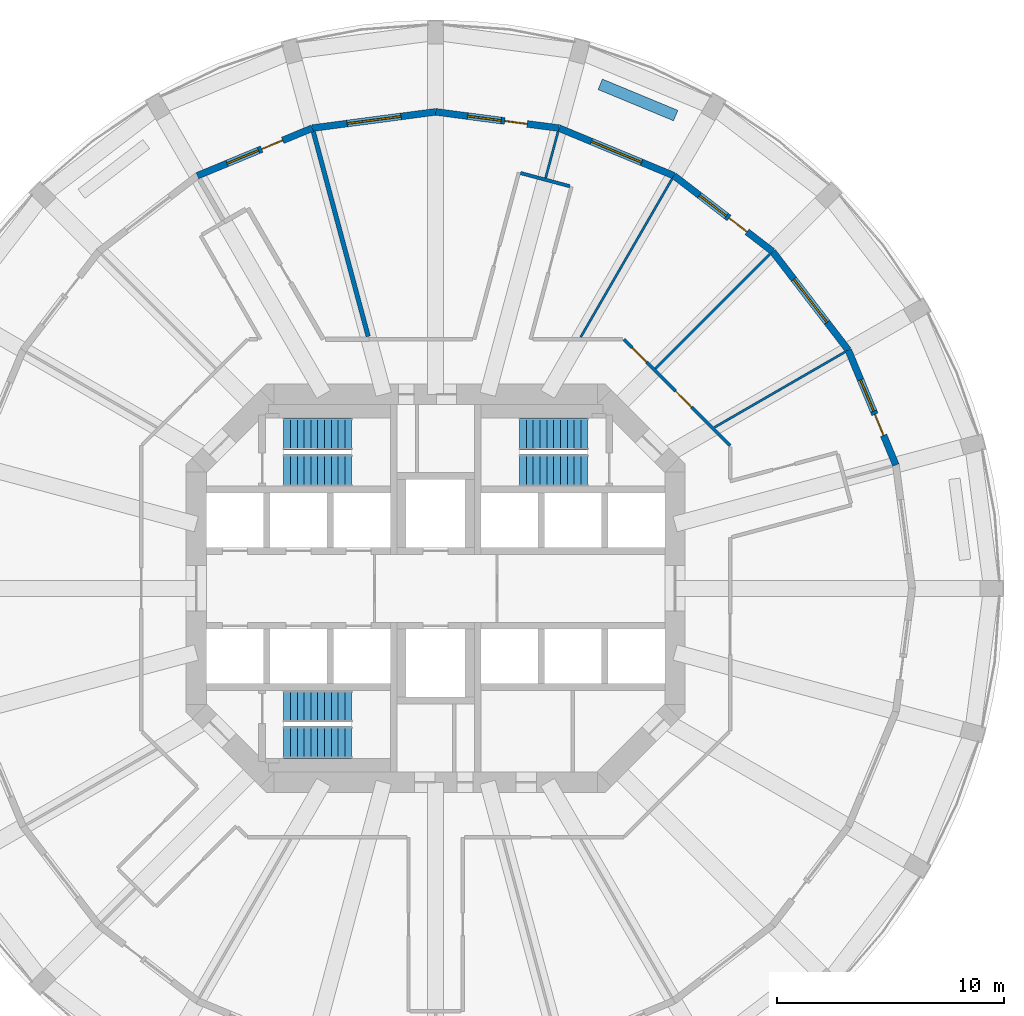
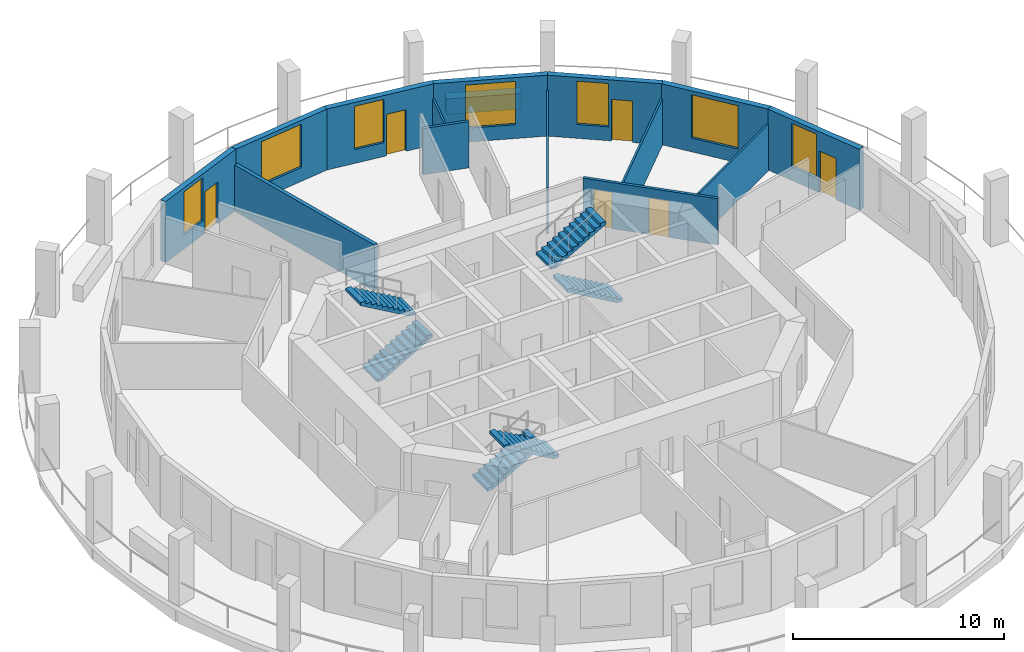
# One storey, part 6 of 8: 15 walls, 7 windows, 6 doors, 6 stair flights, 13 openings, 3 elements without a shape of their own.
"""IFC4 building model written with IfcOpenShell, lengths in metres."""

from ifc_helpers import new_model, si_unit, direction, frame, frame_2d, origin, place, context, subcontext, project, spatial, polyline, rectangle, outline, extrude, material, layer, layer_set, type_object, element, fill, aggregate, save


model = new_model("IFC4")

# Units and contexts
model_context = context("Model", 3, precision=1e-05, world=origin(), true_north=direction((0.0, 1.0)))
body_context = subcontext(model_context, "Body", "Model", "MODEL_VIEW")
ifc_project = project(units=[si_unit("LENGTHUNIT", "METRE"), si_unit("AREAUNIT", "SQUARE_METRE"), si_unit("VOLUMEUNIT", "CUBIC_METRE"), si_unit("PLANEANGLEUNIT", "RADIAN"), si_unit("MASSUNIT", "GRAM", prefix="KILO")], contexts=[model_context])

# Site, building, storey
site_placement = place(None, origin())
site = spatial("IfcSite", under=ifc_project, at=site_placement, CompositionType="ELEMENT")
building_placement = place(site_placement, origin())
building = spatial("IfcBuilding", under=site, at=building_placement, Name="Torre Triforio", CompositionType="ELEMENT")
storey_placement = place(building_placement, frame((0.0, 0.0, 131.39990234375)))
storey = spatial("IfcBuildingStorey", under=building, at=storey_placement, Name="L29", CompositionType="ELEMENT", Elevation=131.39990234375)

# Wall
ifc_material_1 = material(Name="Plasterboard on metal studs")
ifc_layer_1 = layer(ifc_material_1, 0.14990234375)
ifc_layer_set_1 = layer_set([ifc_layer_1], Name="Plasterboard on metal studs")
wall_type_1 = type_object("IfcWallType", Name="Corridor and tenancy wall 150 mm EI 60", PredefinedType="PARTITIONING", material=ifc_layer_set_1)
wall_1_placement = place(storey_placement, frame((3.739990234375, 18.304443359375, 0.0), z_axis=(0.0, 0.0, 1.0), x_axis=(0.965933522054, -0.25879032241, 0.0)))
element("IfcWall", 1, at=wall_1_placement, inside=storey, type_object=wall_type_1, Name="Partition 14", PredefinedType="PARTITIONING", context=body_context, shape_type="SweptSolid", body=[
    extrude(rectangle(XDim=2.25, YDim=0.14990234375, at=frame_2d((1.125, 0.0))), origin(), (0.0, 0.0, 1.0), 2.670166015625),
])

# Wall, openings, doors
wall_2_placement = place(storey_placement, frame((8.291015625, 10.97509765625, 0.0), z_axis=(0.0, 0.0, 1.0), x_axis=(0.707106781187, -0.707106781187, 0.0)))
wall_2 = element("IfcWall", 2, at=wall_2_placement, inside=storey, type_object=wall_type_1, Name="Partition 17", PredefinedType="PARTITIONING", context=body_context, shape_type="SweptSolid", body=[
    extrude(rectangle(XDim=6.624267578125, YDim=0.14990234375, at=frame_2d((3.31201171875, 0.0))), origin(), (0.0, 0.0, 1.0), 2.670166015625),
])
opening_1_placement = place(wall_2_placement, frame((3.22412109375, 0.0, 0.0)))
opening_1 = element("IfcOpeningElement", 3, at=opening_1_placement, cuts=wall_2, Name="Opening D2-09", PredefinedType="OPENING", context=body_context, shape_type="SweptSolid", body=[
    extrude(rectangle(XDim=1.0, YDim=2.10009765625, at=frame_2d((0.5, 1.050048828125))), frame((0.0, 0.0849609375, 0.0), z_axis=(0.0, -1.0, 0.0), x_axis=(1.0, 0.0, 0.0)), (0.0, 0.0, 1.0), 0.169921875),
])
opening_2_placement = place(wall_2_placement, frame((0.52392578125, 0.0, 0.0)))
opening_2 = element("IfcOpeningElement", 4, at=opening_2_placement, cuts=wall_2, Name="Opening D2-10", PredefinedType="OPENING", context=body_context, shape_type="SweptSolid", body=[
    extrude(rectangle(XDim=0.89990234375, YDim=2.10009765625, at=frame_2d((0.449951171875, 1.050048828125))), frame((0.0, 0.0849609375, 0.0), z_axis=(0.0, -1.0, 0.0), x_axis=(1.0, 0.0, 0.0)), (0.0, 0.0, 1.0), 0.169921875),
])
ifc_material_2 = material(Name="Timber", Category="wood")
door_type_1 = type_object("IfcDoorType", Name="Door 1000 x 2100 single leaf EI 30", OperationType="NOTDEFINED", PredefinedType="DOOR", material=ifc_material_2)
door_1_placement = place(opening_1_placement, origin())
door_1 = element("IfcDoor", 5, at=door_1_placement, inside=storey, type_object=door_type_1, Name="Door D2-09", OperationType="SINGLE_SWING_LEFT", OverallHeight=2.10009765625, OverallWidth=1.0, PredefinedType="DOOR", context=body_context, shape_type="SweptSolid", body=[
    extrude(rectangle(XDim=1.0, YDim=2.10009765625, at=frame_2d((0.5, 1.050048828125))), frame((0.0, 0.02490234375, 0.0), z_axis=(0.0, -1.0, 0.0), x_axis=(1.0, 0.0, 0.0)), (0.0, 0.0, 1.0), 0.050048828125),
])
fill(opening_1, door_1)
door_type_2 = type_object("IfcDoorType", Name="Door 900 x 2100 single leaf EI 30", OperationType="NOTDEFINED", PredefinedType="DOOR", material=ifc_material_2)
door_2_placement = place(opening_2_placement, origin())
door_2 = element("IfcDoor", 6, at=door_2_placement, inside=storey, type_object=door_type_2, Name="Door D2-10", OperationType="SINGLE_SWING_LEFT", OverallHeight=2.10009765625, OverallWidth=0.89990234375, PredefinedType="DOOR", context=body_context, shape_type="SweptSolid", body=[
    extrude(rectangle(XDim=0.89990234375, YDim=2.10009765625, at=frame_2d((0.449951171875, 1.050048828125))), frame((0.0, 0.02490234375, 0.0), z_axis=(0.0, -1.0, 0.0), x_axis=(1.0, 0.0, 0.0)), (0.0, 0.0, 1.0), 0.050048828125),
])
fill(opening_2, door_2)

# Walls
ifc_layer_2 = layer(ifc_material_1, 0.10009765625)
ifc_layer_set_2 = layer_set([ifc_layer_2], Name="Plasterboard on metal studs")
wall_type_2 = type_object("IfcWallType", Name="Partition 100 mm board on metal studs", PredefinedType="PARTITIONING", material=ifc_layer_set_2)
wall_3_placement = place(storey_placement, frame((12.294189453125, 7.097900390625, 0.0), z_axis=(0.0, 0.0, 1.0), x_axis=(0.866010486135, 0.500025837236, 0.0)))
element("IfcWall", 7, at=wall_3_placement, inside=storey, type_object=wall_type_2, Name="Partition 32", PredefinedType="PARTITIONING", context=body_context, shape_type="SweptSolid", body=[
    extrude(rectangle(XDim=6.640869140625, YDim=0.10009765625, at=frame_2d((3.3203125, 0.0))), origin(), (0.0, 0.0, 1.0), 2.670166015625),
])
wall_4_placement = place(storey_placement, frame((9.68603515625, 9.68603515625, 0.0), z_axis=(0.0, 0.0, 1.0), x_axis=(0.707106781187, 0.707106781187, 0.0)))
element("IfcWall", 8, at=wall_4_placement, inside=storey, type_object=wall_type_2, Name="Partition 33", PredefinedType="PARTITIONING", context=body_context, shape_type="SweptSolid", body=[
    extrude(rectangle(XDim=7.138671875, YDim=0.10009765625, at=frame_2d((3.5693359375, 0.0))), origin(), (0.0, 0.0, 1.0), 2.670166015625),
])
wall_5_placement = place(storey_placement, frame((6.393798828125, 11.07470703125, 0.0), z_axis=(0.0, 0.0, 1.0), x_axis=(0.500024397361, 0.866011317503, 0.0)))
element("IfcWall", 9, at=wall_5_placement, inside=storey, type_object=wall_type_2, Name="Partition 34", PredefinedType="PARTITIONING", context=body_context, shape_type="SweptSolid", body=[
    extrude(rectangle(XDim=8.048828125, YDim=0.10009765625, at=frame_2d((4.0244140625, 0.0))), origin(), (0.0, 0.0, 1.0), 2.670166015625),
])
wall_6_placement = place(storey_placement, frame((4.84619140625, 18.085693359375, 0.0), z_axis=(0.0, 0.0, 1.0), x_axis=(0.258705282257, 0.965956301772, 0.0)))
element("IfcWall", 10, at=wall_6_placement, inside=storey, type_object=wall_type_2, Name="Partition 35", PredefinedType="PARTITIONING", context=body_context, shape_type="SweptSolid", body=[
    extrude(rectangle(XDim=2.113037109375, YDim=0.10009765625, at=frame_2d((1.056640625, 0.0))), origin(), (0.0, 0.0, 1.0), 2.670166015625),
])
ifc_material_3 = material(Name="Masonry block", Category="masonry")
ifc_layer_3 = layer(ifc_material_3, 0.199951171875)
ifc_layer_set_3 = layer_set([ifc_layer_3], Name="Masonry block")
wall_type_3 = type_object("IfcWallType", Name="Plant room wall 200 mm block EI 120", PredefinedType="PARTITIONING", material=ifc_layer_set_3)
wall_7_placement = place(storey_placement, frame((-2.974365234375, 11.1005859375, 0.0), z_axis=(0.0, 0.0, 1.0), x_axis=(-0.258810523233, 0.965928109677, 0.0)))
element("IfcWall", 11, at=wall_7_placement, inside=storey, type_object=wall_type_3, Name="Partition 36", PredefinedType="PARTITIONING", context=body_context, shape_type="SweptSolid", body=[
    extrude(rectangle(XDim=9.344482421875, YDim=0.199951171875, at=frame_2d((4.67236328125, 0.0))), origin(), (0.0, 0.0, 1.0), 2.670166015625),
])
ifc_material_4 = material(Name="Limestone cladding", Category="masonry")
ifc_layer_4 = layer(ifc_material_4, 0.10009765625)
ifc_material_5 = material(Name="Concrete C40", Category="concrete")
ifc_layer_5 = layer(ifc_material_5, 0.39990234375)
ifc_layer_set_4 = layer_set([ifc_layer_4, ifc_layer_5], Name="Limestone cladding / Concrete C40")
wall_type_4 = type_object("IfcWallType", Name="Planter wall 500", PredefinedType="PARAPET", material=ifc_layer_set_4)
wall_8_placement = place(storey_placement, frame((10.57958984375, 20.837646484375, 0.0), z_axis=(0.0, 0.0, 1.0), x_axis=(-0.923909393783, 0.382611332921, 0.0)))
element("IfcWall", 12, at=wall_8_placement, inside=storey, type_object=wall_type_4, Name="Planter L29 bay 05", PredefinedType="PARAPET", context=body_context, shape_type="SweptSolid", body=[
    extrude(rectangle(XDim=3.60009765625, YDim=0.5, at=frame_2d((1.800048828125, 0.0))), origin(), (0.0, 0.0, 1.0), 0.900146484375),
])

# Wall, openings, door, window
ifc_layer_6 = layer(ifc_material_4, 0.10009765625)
ifc_layer_7 = layer(ifc_material_5, 0.199951171875)
ifc_layer_set_5 = layer_set([ifc_layer_6, ifc_layer_7], Name="Limestone cladding / Concrete C40")
wall_type_5 = type_object("IfcWallType", Name="Stone-faced composite wall 300", PredefinedType="STANDARD", material=ifc_layer_set_5)
wall_9_placement = place(storey_placement, frame((20.284423828125, 5.435302734375, 0.0), z_axis=(0.0, 0.0, 1.0), x_axis=(-0.382688740813, 0.923877333662, 0.0)))
wall_9 = element("IfcWall", 13, at=wall_9_placement, inside=storey, type_object=wall_type_5, Name="External wall L29 bay 02", PredefinedType="STANDARD", context=body_context, shape_type="SweptSolid", body=[
    extrude(rectangle(XDim=5.48193359375, YDim=0.300048828125, at=frame_2d((2.740966796875, 0.0))), origin(), (0.0, 0.0, 1.0), 3.52001953125),
])
opening_3_placement = place(wall_9_placement, frame((1.416015625, 0.0, 0.0)))
opening_3 = element("IfcOpeningElement", 14, at=opening_3_placement, cuts=wall_9, Name="Opening D2-D02", PredefinedType="OPENING", context=body_context, shape_type="SweptSolid", body=[
    extrude(rectangle(XDim=1.0, YDim=2.39990234375, at=frame_2d((0.5, 1.199951171875))), frame((0.0, 0.159912109375, 0.0), z_axis=(0.0, -1.0, 0.0), x_axis=(1.0, 0.0, 0.0)), (0.0, 0.0, 1.0), 0.320068359375),
])
opening_4_placement = place(wall_9_placement, frame((2.566162109375, 0.0, 0.800048828125)))
opening_4 = element("IfcOpeningElement", 15, at=opening_4_placement, cuts=wall_9, Name="Opening D2-W02A", PredefinedType="OPENING", context=body_context, shape_type="SweptSolid", body=[
    extrude(rectangle(XDim=1.5, YDim=2.5, at=frame_2d((0.75, 1.25))), frame((0.0, 0.159912109375, 0.0), z_axis=(0.0, -1.0, 0.0), x_axis=(1.0, 0.0, 0.0)), (0.0, 0.0, 1.0), 0.320068359375),
])
ifc_material_6 = material(Name="Aluminium frame with clear double glazing", Category="aluminium")
door_type_3 = type_object("IfcDoorType", Name="Loggia door 1000 x 2400", OperationType="NOTDEFINED", PredefinedType="DOOR", material=ifc_material_6)
door_3_placement = place(opening_3_placement, origin())
door_3 = element("IfcDoor", 16, at=door_3_placement, inside=storey, type_object=door_type_3, Name="Loggia door L29 bay 02", OperationType="SINGLE_SWING_LEFT", OverallHeight=2.39990234375, OverallWidth=1.0, PredefinedType="DOOR", context=body_context, shape_type="SweptSolid", body=[
    extrude(rectangle(XDim=1.0, YDim=2.39990234375, at=frame_2d((0.5, 1.199951171875))), frame((0.0, 0.02490234375, 0.0), z_axis=(0.0, -1.0, 0.0), x_axis=(1.0, 0.0, 0.0)), (0.0, 0.0, 1.0), 0.050048828125),
])
fill(opening_3, door_3)
window_type_1 = type_object("IfcWindowType", Name="Side window 1500 x 2500", PartitioningType="SINGLE_PANEL", PredefinedType="WINDOW", material=ifc_material_6)
window_1_placement = place(opening_4_placement, origin())
window_1 = element("IfcWindow", 17, at=window_1_placement, inside=storey, type_object=window_type_1, Name="Side window EWN13 L29 bay 02", OverallHeight=2.5, OverallWidth=1.5, PartitioningType="SINGLE_PANEL", PredefinedType="WINDOW", context=body_context, shape_type="SweptSolid", body=[
    extrude(rectangle(XDim=1.5, YDim=2.5, at=frame_2d((0.75, 1.25))), frame((0.0, 0.030029296875, 0.0), z_axis=(0.0, -1.0, 0.0), x_axis=(1.0, 0.0, 0.0)), (0.0, 0.0, 1.0), 0.06005859375),
])
fill(opening_4, window_1)

# Wall, opening, window
wall_10_placement = place(storey_placement, frame((18.1865234375, 10.5, 0.0), z_axis=(0.0, 0.0, 1.0), x_axis=(-0.608784891166, 0.793335336593, 0.0)))
wall_10 = element("IfcWall", 18, at=wall_10_placement, inside=storey, type_object=wall_type_5, Name="External wall L29 bay 03", PredefinedType="STANDARD", context=body_context, shape_type="SweptSolid", body=[
    extrude(rectangle(XDim=5.482177734375, YDim=0.300048828125, at=frame_2d((2.7412109375, 0.0))), origin(), (0.0, 0.0, 1.0), 3.52001953125),
])
opening_5_placement = place(wall_10_placement, frame((1.541015625, 0.0, 0.800048828125)))
opening_5 = element("IfcOpeningElement", 19, at=opening_5_placement, cuts=wall_10, Name="Opening D2-W03", PredefinedType="OPENING", context=body_context, shape_type="SweptSolid", body=[
    extrude(rectangle(XDim=2.39990234375, YDim=2.5, at=frame_2d((1.199951171875, 1.25))), frame((0.0, 0.159912109375, 0.0), z_axis=(0.0, -1.0, 0.0), x_axis=(1.0, 0.0, 0.0)), (0.0, 0.0, 1.0), 0.320068359375),
])
window_type_2 = type_object("IfcWindowType", Name="Punched window 2400 x 2500", PartitioningType="DOUBLE_PANEL_VERTICAL", PredefinedType="WINDOW", material=ifc_material_6)
window_2_placement = place(opening_5_placement, origin())
window_2 = element("IfcWindow", 20, at=window_2_placement, inside=storey, type_object=window_type_2, Name="Window EWN3 L29 bay 03", OverallHeight=2.5, OverallWidth=2.39990234375, PartitioningType="SINGLE_PANEL", PredefinedType="WINDOW", context=body_context, shape_type="SweptSolid", body=[
    extrude(rectangle(XDim=2.39990234375, YDim=2.5, at=frame_2d((1.199951171875, 1.25))), frame((0.0, 0.030029296875, 0.0), z_axis=(0.0, -1.0, 0.0), x_axis=(1.0, 0.0, 0.0)), (0.0, 0.0, 1.0), 0.06005859375),
])
fill(opening_5, window_2)

# Wall, openings, door, window
wall_11_placement = place(storey_placement, frame((14.84912109375, 14.84912109375, 0.0), z_axis=(0.0, 0.0, 1.0), x_axis=(-0.793335336593, 0.608784891166, 0.0)))
wall_11 = element("IfcWall", 21, at=wall_11_placement, inside=storey, type_object=wall_type_5, Name="External wall L29 bay 04", PredefinedType="STANDARD", context=body_context, shape_type="SweptSolid", body=[
    extrude(rectangle(XDim=5.482177734375, YDim=0.300048828125, at=frame_2d((2.7412109375, 0.0))), origin(), (0.0, 0.0, 1.0), 3.52001953125),
])
opening_6_placement = place(wall_11_placement, frame((1.416015625, 0.0, 0.0)))
opening_6 = element("IfcOpeningElement", 22, at=opening_6_placement, cuts=wall_11, Name="Opening D2-D04", PredefinedType="OPENING", context=body_context, shape_type="SweptSolid", body=[
    extrude(rectangle(XDim=1.0, YDim=2.39990234375, at=frame_2d((0.5, 1.199951171875))), frame((0.0, 0.159912109375, 0.0), z_axis=(0.0, -1.0, 0.0), x_axis=(1.0, 0.0, 0.0)), (0.0, 0.0, 1.0), 0.320068359375),
])
opening_7_placement = place(wall_11_placement, frame((2.56591796875, 0.0, 0.800048828125)))
opening_7 = element("IfcOpeningElement", 23, at=opening_7_placement, cuts=wall_11, Name="Opening D2-W04A", PredefinedType="OPENING", context=body_context, shape_type="SweptSolid", body=[
    extrude(rectangle(XDim=1.5, YDim=2.5, at=frame_2d((0.75, 1.25))), frame((0.0, 0.159912109375, 0.0), z_axis=(0.0, -1.0, 0.0), x_axis=(1.0, 0.0, 0.0)), (0.0, 0.0, 1.0), 0.320068359375),
])
door_4_placement = place(opening_6_placement, origin())
door_4 = element("IfcDoor", 24, at=door_4_placement, inside=storey, type_object=door_type_3, Name="Loggia door L29 bay 04", OperationType="SINGLE_SWING_LEFT", OverallHeight=2.39990234375, OverallWidth=1.0, PredefinedType="DOOR", context=body_context, shape_type="SweptSolid", body=[
    extrude(rectangle(XDim=1.0, YDim=2.39990234375, at=frame_2d((0.5, 1.199951171875))), frame((0.0, 0.02490234375, 0.0), z_axis=(0.0, -1.0, 0.0), x_axis=(1.0, 0.0, 0.0)), (0.0, 0.0, 1.0), 0.050048828125),
])
fill(opening_6, door_4)
window_3_placement = place(opening_7_placement, origin())
window_3 = element("IfcWindow", 25, at=window_3_placement, inside=storey, type_object=window_type_1, Name="Side window EWN13 L29 bay 04", OverallHeight=2.5, OverallWidth=1.5, PartitioningType="SINGLE_PANEL", PredefinedType="WINDOW", context=body_context, shape_type="SweptSolid", body=[
    extrude(rectangle(XDim=1.5, YDim=2.5, at=frame_2d((0.75, 1.25))), frame((0.0, 0.030029296875, 0.0), z_axis=(0.0, -1.0, 0.0), x_axis=(1.0, 0.0, 0.0)), (0.0, 0.0, 1.0), 0.06005859375),
])
fill(opening_7, window_3)

# Wall, opening, window
wall_12_placement = place(storey_placement, frame((10.5, 18.1865234375, 0.0), z_axis=(0.0, 0.0, 1.0), x_axis=(-0.923877333662, 0.382688740813, 0.0)))
wall_12 = element("IfcWall", 26, at=wall_12_placement, inside=storey, type_object=wall_type_5, Name="External wall L29 bay 05", PredefinedType="STANDARD", context=body_context, shape_type="SweptSolid", body=[
    extrude(rectangle(XDim=5.48193359375, YDim=0.300048828125, at=frame_2d((2.740966796875, 0.0))), origin(), (0.0, 0.0, 1.0), 3.52001953125),
])
opening_8_placement = place(wall_12_placement, frame((1.541015625, 0.0, 0.800048828125)))
opening_8 = element("IfcOpeningElement", 27, at=opening_8_placement, cuts=wall_12, Name="Opening D2-W05", PredefinedType="OPENING", context=body_context, shape_type="SweptSolid", body=[
    extrude(rectangle(XDim=2.39990234375, YDim=2.5, at=frame_2d((1.199951171875, 1.25))), frame((0.0, 0.159912109375, 0.0), z_axis=(0.0, -1.0, 0.0), x_axis=(1.0, 0.0, 0.0)), (0.0, 0.0, 1.0), 0.320068359375),
])
window_4_placement = place(opening_8_placement, origin())
window_4 = element("IfcWindow", 28, at=window_4_placement, inside=storey, type_object=window_type_2, Name="Window EWN3 L29 bay 05", OverallHeight=2.5, OverallWidth=2.39990234375, PartitioningType="SINGLE_PANEL", PredefinedType="WINDOW", context=body_context, shape_type="SweptSolid", body=[
    extrude(rectangle(XDim=2.39990234375, YDim=2.5, at=frame_2d((1.199951171875, 1.25))), frame((0.0, 0.030029296875, 0.0), z_axis=(0.0, -1.0, 0.0), x_axis=(1.0, 0.0, 0.0)), (0.0, 0.0, 1.0), 0.06005859375),
])
fill(opening_8, window_4)

# Wall, openings, door, window
wall_13_placement = place(storey_placement, frame((5.435302734375, 20.284423828125, 0.0), z_axis=(0.0, 0.0, 1.0), x_axis=(-0.991444743541, 0.130527087244, 0.0)))
wall_13 = element("IfcWall", 29, at=wall_13_placement, inside=storey, type_object=wall_type_5, Name="External wall L29 bay 06", PredefinedType="STANDARD", context=body_context, shape_type="SweptSolid", body=[
    extrude(rectangle(XDim=5.482177734375, YDim=0.300048828125, at=frame_2d((2.7412109375, 0.0))), origin(), (0.0, 0.0, 1.0), 3.52001953125),
])
opening_9_placement = place(wall_13_placement, frame((1.416015625, 0.0, 0.0)))
opening_9 = element("IfcOpeningElement", 30, at=opening_9_placement, cuts=wall_13, Name="Opening D2-D06", PredefinedType="OPENING", context=body_context, shape_type="SweptSolid", body=[
    extrude(rectangle(XDim=1.0, YDim=2.39990234375, at=frame_2d((0.5, 1.199951171875))), frame((0.0, 0.159912109375, 0.0), z_axis=(0.0, -1.0, 0.0), x_axis=(1.0, 0.0, 0.0)), (0.0, 0.0, 1.0), 0.320068359375),
])
opening_10_placement = place(wall_13_placement, frame((2.566162109375, 0.0, 0.800048828125)))
opening_10 = element("IfcOpeningElement", 31, at=opening_10_placement, cuts=wall_13, Name="Opening D2-W06A", PredefinedType="OPENING", context=body_context, shape_type="SweptSolid", body=[
    extrude(rectangle(XDim=1.5, YDim=2.5, at=frame_2d((0.75, 1.25))), frame((0.0, 0.159912109375, 0.0), z_axis=(0.0, -1.0, 0.0), x_axis=(1.0, 0.0, 0.0)), (0.0, 0.0, 1.0), 0.320068359375),
])
door_5_placement = place(opening_9_placement, origin())
door_5 = element("IfcDoor", 32, at=door_5_placement, inside=storey, type_object=door_type_3, Name="Loggia door L29 bay 06", OperationType="SINGLE_SWING_LEFT", OverallHeight=2.39990234375, OverallWidth=1.0, PredefinedType="DOOR", context=body_context, shape_type="SweptSolid", body=[
    extrude(rectangle(XDim=1.0, YDim=2.39990234375, at=frame_2d((0.5, 1.199951171875))), frame((0.0, 0.02490234375, 0.0), z_axis=(0.0, -1.0, 0.0), x_axis=(1.0, 0.0, 0.0)), (0.0, 0.0, 1.0), 0.050048828125),
])
fill(opening_9, door_5)
window_5_placement = place(opening_10_placement, origin())
window_5 = element("IfcWindow", 33, at=window_5_placement, inside=storey, type_object=window_type_1, Name="Side window EWN13 L29 bay 06", OverallHeight=2.5, OverallWidth=1.5, PartitioningType="SINGLE_PANEL", PredefinedType="WINDOW", context=body_context, shape_type="SweptSolid", body=[
    extrude(rectangle(XDim=1.5, YDim=2.5, at=frame_2d((0.75, 1.25))), frame((0.0, 0.030029296875, 0.0), z_axis=(0.0, -1.0, 0.0), x_axis=(1.0, 0.0, 0.0)), (0.0, 0.0, 1.0), 0.06005859375),
])
fill(opening_10, window_5)

# Wall, opening, window
wall_14_placement = place(storey_placement, frame((0.0, 21.0, 0.0), z_axis=(0.0, 0.0, 1.0), x_axis=(-0.991444743541, -0.130527087244, 0.0)))
wall_14 = element("IfcWall", 34, at=wall_14_placement, inside=storey, type_object=wall_type_5, Name="External wall L29 bay 07", PredefinedType="STANDARD", context=body_context, shape_type="SweptSolid", body=[
    extrude(rectangle(XDim=5.482177734375, YDim=0.300048828125, at=frame_2d((2.7412109375, 0.0))), origin(), (0.0, 0.0, 1.0), 3.52001953125),
])
opening_11_placement = place(wall_14_placement, frame((1.541015625, 0.0, 0.800048828125)))
opening_11 = element("IfcOpeningElement", 35, at=opening_11_placement, cuts=wall_14, Name="Opening D2-W07", PredefinedType="OPENING", context=body_context, shape_type="SweptSolid", body=[
    extrude(rectangle(XDim=2.39990234375, YDim=2.5, at=frame_2d((1.199951171875, 1.25))), frame((0.0, 0.159912109375, 0.0), z_axis=(0.0, -1.0, 0.0), x_axis=(1.0, 0.0, 0.0)), (0.0, 0.0, 1.0), 0.320068359375),
])
window_6_placement = place(opening_11_placement, origin())
window_6 = element("IfcWindow", 36, at=window_6_placement, inside=storey, type_object=window_type_2, Name="Window EWN3 L29 bay 07", OverallHeight=2.5, OverallWidth=2.39990234375, PartitioningType="SINGLE_PANEL", PredefinedType="WINDOW", context=body_context, shape_type="SweptSolid", body=[
    extrude(rectangle(XDim=2.39990234375, YDim=2.5, at=frame_2d((1.199951171875, 1.25))), frame((0.0, 0.030029296875, 0.0), z_axis=(0.0, -1.0, 0.0), x_axis=(1.0, 0.0, 0.0)), (0.0, 0.0, 1.0), 0.06005859375),
])
fill(opening_11, window_6)

# Wall, openings, door, window
wall_15_placement = place(storey_placement, frame((-5.435302734375, 20.284423828125, 0.0), z_axis=(0.0, 0.0, 1.0), x_axis=(-0.923877333662, -0.382688740813, 0.0)))
wall_15 = element("IfcWall", 37, at=wall_15_placement, inside=storey, type_object=wall_type_5, Name="External wall L29 bay 08", PredefinedType="STANDARD", context=body_context, shape_type="SweptSolid", body=[
    extrude(rectangle(XDim=5.48193359375, YDim=0.300048828125, at=frame_2d((2.740966796875, 0.0))), origin(), (0.0, 0.0, 1.0), 3.52001953125),
])
opening_12_placement = place(wall_15_placement, frame((1.416015625, 0.0, 0.0)))
opening_12 = element("IfcOpeningElement", 38, at=opening_12_placement, cuts=wall_15, Name="Opening D2-D08", PredefinedType="OPENING", context=body_context, shape_type="SweptSolid", body=[
    extrude(rectangle(XDim=1.0, YDim=2.39990234375, at=frame_2d((0.5, 1.199951171875))), frame((0.0, 0.159912109375, 0.0), z_axis=(0.0, -1.0, 0.0), x_axis=(1.0, 0.0, 0.0)), (0.0, 0.0, 1.0), 0.320068359375),
])
opening_13_placement = place(wall_15_placement, frame((2.566162109375, 0.0, 0.800048828125)))
opening_13 = element("IfcOpeningElement", 39, at=opening_13_placement, cuts=wall_15, Name="Opening D2-W08A", PredefinedType="OPENING", context=body_context, shape_type="SweptSolid", body=[
    extrude(rectangle(XDim=1.5, YDim=2.5, at=frame_2d((0.75, 1.25))), frame((0.0, 0.159912109375, 0.0), z_axis=(0.0, -1.0, 0.0), x_axis=(1.0, 0.0, 0.0)), (0.0, 0.0, 1.0), 0.320068359375),
])
door_6_placement = place(opening_12_placement, origin())
door_6 = element("IfcDoor", 40, at=door_6_placement, inside=storey, type_object=door_type_3, Name="Loggia door L29 bay 08", OperationType="SINGLE_SWING_LEFT", OverallHeight=2.39990234375, OverallWidth=1.0, PredefinedType="DOOR", context=body_context, shape_type="SweptSolid", body=[
    extrude(rectangle(XDim=1.0, YDim=2.39990234375, at=frame_2d((0.5, 1.199951171875))), frame((0.0, 0.02490234375, 0.0), z_axis=(0.0, -1.0, 0.0), x_axis=(1.0, 0.0, 0.0)), (0.0, 0.0, 1.0), 0.050048828125),
])
fill(opening_12, door_6)
window_7_placement = place(opening_13_placement, origin())
window_7 = element("IfcWindow", 41, at=window_7_placement, inside=storey, type_object=window_type_1, Name="Side window EWN13 L29 bay 08", OverallHeight=2.5, OverallWidth=1.5, PartitioningType="SINGLE_PANEL", PredefinedType="WINDOW", context=body_context, shape_type="SweptSolid", body=[
    extrude(rectangle(XDim=1.5, YDim=2.5, at=frame_2d((0.75, 1.25))), frame((0.0, 0.030029296875, 0.0), z_axis=(0.0, -1.0, 0.0), x_axis=(1.0, 0.0, 0.0)), (0.0, 0.0, 1.0), 0.06005859375),
])
fill(opening_13, window_7)

# Stair, stair flights
stair_type = type_object("IfcStairType", Name="STAIR HALF-TURN", PredefinedType="HALF_TURN_STAIR", material=ifc_material_5)
stair_1_placement = place(storey_placement, origin())
stair_1 = element("IfcStair", 42, at=stair_1_placement, inside=storey, type_object=stair_type, Name="Exit stair 1", PredefinedType="HALF_TURN_STAIR")
stair_flight_type = type_object("IfcStairFlightType", Name="STAIR FLIGHT 1400", PredefinedType="STRAIGHT", material=ifc_material_5)
stair_flight_1_placement = place(storey_placement, frame((-6.699951171875, 5.199951171875, 0.0), z_axis=(0.0, 0.0, 1.0), x_axis=(1.0, 0.0, 0.0)))
stair_flight_1 = element("IfcStairFlight", 43, at=stair_flight_1_placement, type_object=stair_flight_type, Name="ST1 flight 1", NumberOfRisers=11, NumberOfTreads=10, PredefinedType="STRAIGHT", RiserHeight=0.172727273, TreadLength=0.3, context=body_context, shape_type="SweptSolid", body=[
    extrude(outline(polyline([(0.0, 0.0), (0.0, 0.172607421875), (0.300048828125, 0.172607421875), (0.300048828125, 0.345458984375), (0.60009765625, 0.345458984375), (0.60009765625, 0.51806640625), (0.89990234375, 0.51806640625), (0.89990234375, 0.69091796875), (1.199951171875, 0.69091796875), (1.199951171875, 0.863525390625), (1.5, 0.863525390625), (1.5, 1.036376953125), (1.800048828125, 1.036376953125), (1.800048828125, 1.208984375), (2.10009765625, 1.208984375), (2.10009765625, 1.3818359375), (2.39990234375, 1.3818359375), (2.39990234375, 1.554443359375), (2.699951171875, 1.554443359375), (2.699951171875, 1.727294921875), (3.0, 1.727294921875), (3.0, 1.89990234375), (3.0, 1.55419921875), (0.300537109375, 0.0), (0.0, 0.0)])), frame((0.0, 0.699951171875, 0.0), z_axis=(0.0, -1.0, 0.0), x_axis=(1.0, 0.0, 0.0)), (0.0, 0.0, 1.0), 1.39990234375),
])
stair_flight_2_placement = place(storey_placement, frame((-3.699951171875, 6.800048828125, 1.900146484375), z_axis=(0.0, 0.0, 1.0), x_axis=(-1.0, 0.0, 0.0)))
stair_flight_2 = element("IfcStairFlight", 44, at=stair_flight_2_placement, type_object=stair_flight_type, Name="ST1 flight 2", NumberOfRisers=11, NumberOfTreads=10, PredefinedType="STRAIGHT", RiserHeight=0.172727273, TreadLength=0.3, context=body_context, shape_type="SweptSolid", body=[
    extrude(outline(polyline([(0.0, 0.0), (0.0, 0.172607421875), (0.300048828125, 0.172607421875), (0.300048828125, 0.345458984375), (0.60009765625, 0.345458984375), (0.60009765625, 0.51806640625), (0.89990234375, 0.51806640625), (0.89990234375, 0.69091796875), (1.199951171875, 0.69091796875), (1.199951171875, 0.863525390625), (1.5, 0.863525390625), (1.5, 1.036376953125), (1.800048828125, 1.036376953125), (1.800048828125, 1.208984375), (2.10009765625, 1.208984375), (2.10009765625, 1.3818359375), (2.39990234375, 1.3818359375), (2.39990234375, 1.554443359375), (2.699951171875, 1.554443359375), (2.699951171875, 1.727294921875), (3.0, 1.727294921875), (3.0, 1.89990234375), (3.0, 1.55419921875), (0.300537109375, 0.0), (0.0, 0.0)])), frame((0.0, 0.699951171875, 0.0), z_axis=(0.0, -1.0, 0.0), x_axis=(1.0, 0.0, 0.0)), (0.0, 0.0, 1.0), 1.39990234375),
])
aggregate(stair_1, [stair_flight_1, stair_flight_2])

stair_2_placement = place(storey_placement, origin())
stair_2 = element("IfcStair", 45, at=stair_2_placement, inside=storey, type_object=stair_type, Name="Exit stair 2", PredefinedType="HALF_TURN_STAIR")
stair_flight_3_placement = place(storey_placement, frame((6.699951171875, 5.199951171875, 0.0), z_axis=(0.0, 0.0, 1.0), x_axis=(-1.0, 0.0, 0.0)))
stair_flight_3 = element("IfcStairFlight", 46, at=stair_flight_3_placement, type_object=stair_flight_type, Name="ST2 flight 1", NumberOfRisers=11, NumberOfTreads=10, PredefinedType="STRAIGHT", RiserHeight=0.172727273, TreadLength=0.3, context=body_context, shape_type="SweptSolid", body=[
    extrude(outline(polyline([(0.0, 0.0), (0.0, 0.172607421875), (0.300048828125, 0.172607421875), (0.300048828125, 0.345458984375), (0.60009765625, 0.345458984375), (0.60009765625, 0.51806640625), (0.89990234375, 0.51806640625), (0.89990234375, 0.69091796875), (1.199951171875, 0.69091796875), (1.199951171875, 0.863525390625), (1.5, 0.863525390625), (1.5, 1.036376953125), (1.800048828125, 1.036376953125), (1.800048828125, 1.208984375), (2.10009765625, 1.208984375), (2.10009765625, 1.3818359375), (2.39990234375, 1.3818359375), (2.39990234375, 1.554443359375), (2.699951171875, 1.554443359375), (2.699951171875, 1.727294921875), (3.0, 1.727294921875), (3.0, 1.89990234375), (3.0, 1.55419921875), (0.300537109375, 0.0), (0.0, 0.0)])), frame((0.0, 0.699951171875, 0.0), z_axis=(0.0, -1.0, 0.0), x_axis=(1.0, 0.0, 0.0)), (0.0, 0.0, 1.0), 1.39990234375),
])
stair_flight_4_placement = place(storey_placement, frame((3.699951171875, 6.800048828125, 1.900146484375), z_axis=(0.0, 0.0, 1.0), x_axis=(1.0, 0.0, 0.0)))
stair_flight_4 = element("IfcStairFlight", 47, at=stair_flight_4_placement, type_object=stair_flight_type, Name="ST2 flight 2", NumberOfRisers=11, NumberOfTreads=10, PredefinedType="STRAIGHT", RiserHeight=0.172727273, TreadLength=0.3, context=body_context, shape_type="SweptSolid", body=[
    extrude(outline(polyline([(0.0, 0.0), (0.0, 0.172607421875), (0.300048828125, 0.172607421875), (0.300048828125, 0.345458984375), (0.60009765625, 0.345458984375), (0.60009765625, 0.51806640625), (0.89990234375, 0.51806640625), (0.89990234375, 0.69091796875), (1.199951171875, 0.69091796875), (1.199951171875, 0.863525390625), (1.5, 0.863525390625), (1.5, 1.036376953125), (1.800048828125, 1.036376953125), (1.800048828125, 1.208984375), (2.10009765625, 1.208984375), (2.10009765625, 1.3818359375), (2.39990234375, 1.3818359375), (2.39990234375, 1.554443359375), (2.699951171875, 1.554443359375), (2.699951171875, 1.727294921875), (3.0, 1.727294921875), (3.0, 1.89990234375), (3.0, 1.55419921875), (0.300537109375, 0.0), (0.0, 0.0)])), frame((0.0, 0.699951171875, 0.0), z_axis=(0.0, -1.0, 0.0), x_axis=(1.0, 0.0, 0.0)), (0.0, 0.0, 1.0), 1.39990234375),
])
aggregate(stair_2, [stair_flight_3, stair_flight_4])

stair_3_placement = place(storey_placement, origin())
stair_3 = element("IfcStair", 48, at=stair_3_placement, inside=storey, type_object=stair_type, Name="Exit stair 3", PredefinedType="HALF_TURN_STAIR")
stair_flight_5_placement = place(storey_placement, frame((-6.699951171875, -5.199951171875, 0.0), z_axis=(0.0, 0.0, 1.0), x_axis=(1.0, 0.0, 0.0)))
stair_flight_5 = element("IfcStairFlight", 49, at=stair_flight_5_placement, type_object=stair_flight_type, Name="ST3 flight 1", NumberOfRisers=11, NumberOfTreads=10, PredefinedType="STRAIGHT", RiserHeight=0.172727273, TreadLength=0.3, context=body_context, shape_type="SweptSolid", body=[
    extrude(outline(polyline([(0.0, 0.0), (0.0, 0.172607421875), (0.300048828125, 0.172607421875), (0.300048828125, 0.345458984375), (0.60009765625, 0.345458984375), (0.60009765625, 0.51806640625), (0.89990234375, 0.51806640625), (0.89990234375, 0.69091796875), (1.199951171875, 0.69091796875), (1.199951171875, 0.863525390625), (1.5, 0.863525390625), (1.5, 1.036376953125), (1.800048828125, 1.036376953125), (1.800048828125, 1.208984375), (2.10009765625, 1.208984375), (2.10009765625, 1.3818359375), (2.39990234375, 1.3818359375), (2.39990234375, 1.554443359375), (2.699951171875, 1.554443359375), (2.699951171875, 1.727294921875), (3.0, 1.727294921875), (3.0, 1.89990234375), (3.0, 1.55419921875), (0.300537109375, 0.0), (0.0, 0.0)])), frame((0.0, 0.699951171875, 0.0), z_axis=(0.0, -1.0, 0.0), x_axis=(1.0, 0.0, 0.0)), (0.0, 0.0, 1.0), 1.39990234375),
])
stair_flight_6_placement = place(storey_placement, frame((-3.699951171875, -6.800048828125, 1.900146484375), z_axis=(0.0, 0.0, 1.0), x_axis=(-1.0, 0.0, 0.0)))
stair_flight_6 = element("IfcStairFlight", 50, at=stair_flight_6_placement, type_object=stair_flight_type, Name="ST3 flight 2", NumberOfRisers=11, NumberOfTreads=10, PredefinedType="STRAIGHT", RiserHeight=0.172727273, TreadLength=0.3, context=body_context, shape_type="SweptSolid", body=[
    extrude(outline(polyline([(0.0, 0.0), (0.0, 0.172607421875), (0.300048828125, 0.172607421875), (0.300048828125, 0.345458984375), (0.60009765625, 0.345458984375), (0.60009765625, 0.51806640625), (0.89990234375, 0.51806640625), (0.89990234375, 0.69091796875), (1.199951171875, 0.69091796875), (1.199951171875, 0.863525390625), (1.5, 0.863525390625), (1.5, 1.036376953125), (1.800048828125, 1.036376953125), (1.800048828125, 1.208984375), (2.10009765625, 1.208984375), (2.10009765625, 1.3818359375), (2.39990234375, 1.3818359375), (2.39990234375, 1.554443359375), (2.699951171875, 1.554443359375), (2.699951171875, 1.727294921875), (3.0, 1.727294921875), (3.0, 1.89990234375), (3.0, 1.55419921875), (0.300537109375, 0.0), (0.0, 0.0)])), frame((0.0, 0.699951171875, 0.0), z_axis=(0.0, -1.0, 0.0), x_axis=(1.0, 0.0, 0.0)), (0.0, 0.0, 1.0), 1.39990234375),
])
aggregate(stair_3, [stair_flight_5, stair_flight_6])

save(model, "model.ifc")
